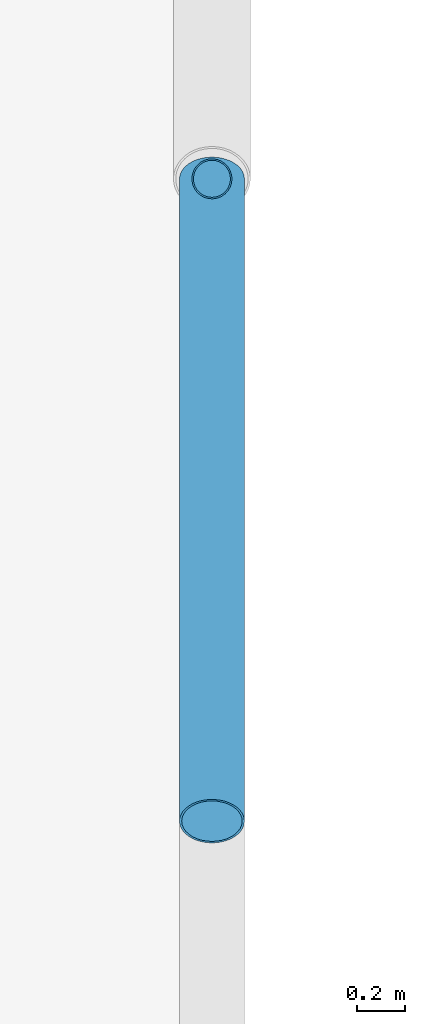
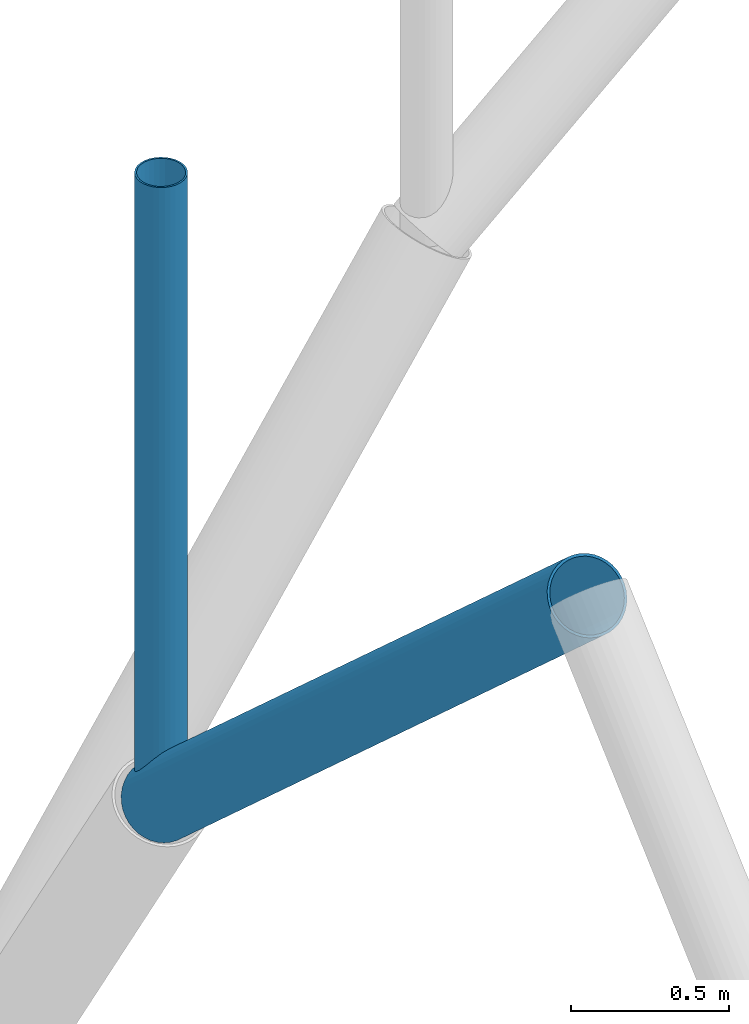
# One storey, part 34 of 109: 2 members.
"""IFC4 building model written with IfcOpenShell, lengths in metres."""

from ifc_helpers import new_model, si_unit, derived_unit, direction, frame, origin, origin_2d_with_axis, place, context, subcontext, project, spatial, hollow_circle, extrude, material, material_profile, profile_set, type_object, element, save


model = new_model("IFC4")

# Units and contexts
model_context = context("Model", 3, precision=1e-05, world=origin(), true_north=direction((0.0, 1.0)))
body_context = subcontext(model_context, "Body", "Model", "MODEL_VIEW")
ifc_project = project(units=[si_unit("LENGTHUNIT", "METRE"), si_unit("AREAUNIT", "SQUARE_METRE"), si_unit("VOLUMEUNIT", "CUBIC_METRE"), si_unit("PLANEANGLEUNIT", "RADIAN"), si_unit("MASSUNIT", "GRAM", prefix="KILO"), derived_unit("THERMALTRANSMITTANCEUNIT", [(si_unit("POWERUNIT", "WATT"), 1), (si_unit("LENGTHUNIT", "METRE"), -2), (si_unit("THERMODYNAMICTEMPERATUREUNIT", "KELVIN"), -1)])], contexts=[model_context])

# Site, building, storey
site_placement = place(None, origin())
site = spatial("IfcSite", under=ifc_project, at=site_placement, CompositionType="ELEMENT")
building_placement = place(site_placement, origin())
building = spatial("IfcBuilding", under=site, at=building_placement, Name="Cinnabar Yard Market Hall", CompositionType="ELEMENT")
storey_placement = place(building_placement, frame((0.0, 0.0, 8.39990234375)))
storey = spatial("IfcBuildingStorey", under=building, at=storey_placement, Name="L02", CompositionType="ELEMENT", Elevation=8.39990234375)

# Members
ifc_material_1 = material(Name="Spotted-gum glulam-clad steel Grade 350 (350 MPa)", Category="steel")
ifc_material_profile_1 = material_profile(ifc_material_1, hollow_circle(Radius=0.136474609375, WallThickness=0.00927734375, at=origin_2d_with_axis()), Name="273.1x9.3CHS")
ifc_profile_set_1 = profile_set([ifc_material_profile_1], Name="Spotted-gum glulam-clad steel Grade 350 (350 MPa)")
member_type_1 = type_object("IfcMemberType", Name="MB-AR01", PredefinedType="USERDEFINED", material=ifc_profile_set_1)
member_1_placement = place(storey_placement, frame((86.0, 41.699951171875, 3.550048828125), z_axis=(0.0, -0.743297488271, 0.668961018244), x_axis=(1.0, 0.0, 0.0)))
element("IfcMember", 1, at=member_1_placement, inside=storey, type_object=member_type_1, Name="Pointed Arch Rib 0023", ObjectType="ARCH RIB", PredefinedType="USERDEFINED", context=body_context, shape_type="SweptSolid", body=[
    extrude(hollow_circle(Radius=0.136474609375, WallThickness=0.00927734375, at=origin_2d_with_axis()), origin(), (0.0, 0.0, 1.0), 3.63232421875),
])
ifc_material_2 = material(Name="Cold-formed steel C350L0", Category="steel")
ifc_material_profile_2 = material_profile(ifc_material_2, hollow_circle(Radius=0.084228515625, WallThickness=0.00634765625, at=origin_2d_with_axis()), Name="168.3x6.4CHS")
ifc_profile_set_2 = profile_set([ifc_material_profile_2], Name="Cold-formed steel C350L0")
member_type_2 = type_object("IfcMemberType", Name="MB-WB01", PredefinedType="STRUT", material=ifc_profile_set_2)
member_2_placement = place(storey_placement, frame((86.0, 41.699951171875, 3.550048828125), z_axis=(0.0, 0.0, 1.0), x_axis=(1.0, 0.0, 0.0)))
element("IfcMember", 2, at=member_2_placement, inside=storey, type_object=member_type_2, Name="Arch Spandrel Post 0023", PredefinedType="STRUT", context=body_context, shape_type="SweptSolid", body=[
    extrude(hollow_circle(Radius=0.084228515625, WallThickness=0.00634765625, at=origin_2d_with_axis()), origin(), (0.0, 0.0, 1.0), 2.429931640625),
])

save(model, "model.ifc")
